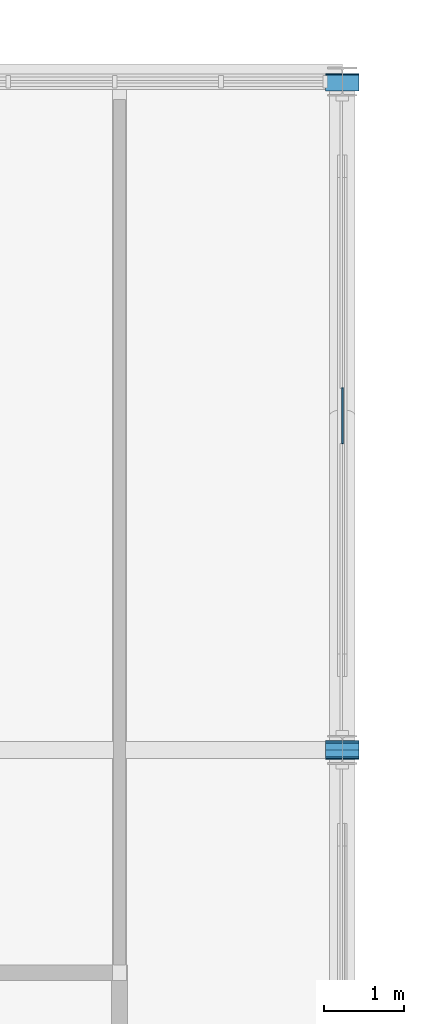
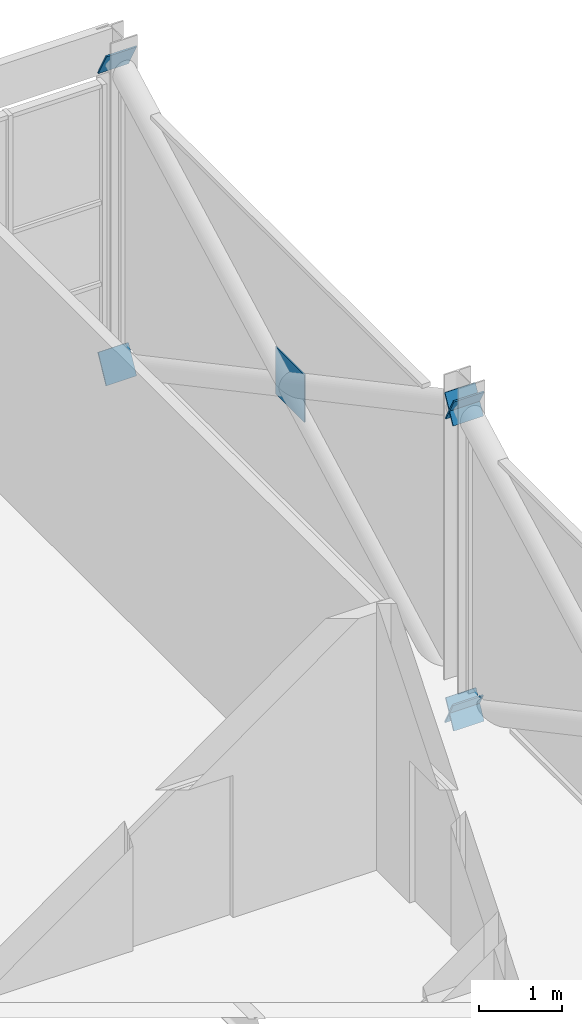
# One storey, part 114 of 129: 7 discrete accessories.
"""IFC4 building model written with IfcOpenShell, lengths in metres."""

from ifc_helpers import new_model, si_unit, direction, frame, origin, origin_2d, place, context, subcontext, project, spatial, rectangle, extrude, material, material_profile, profile_set, type_object, element, save


model = new_model("IFC4")

# Units and contexts
model_context = context("Model", 3, precision=1e-05, world=origin(), true_north=direction((0.0, 1.0)))
body_context = subcontext(model_context, "Body", "Model", "MODEL_VIEW")
ifc_project = project(units=[si_unit("LENGTHUNIT", "METRE"), si_unit("AREAUNIT", "SQUARE_METRE"), si_unit("VOLUMEUNIT", "CUBIC_METRE"), si_unit("PLANEANGLEUNIT", "RADIAN"), si_unit("MASSUNIT", "GRAM", prefix="KILO")], contexts=[model_context])

# Site, building, storey
site_placement = place(None, origin())
site = spatial("IfcSite", under=ifc_project, at=site_placement, CompositionType="ELEMENT")
building_placement = place(site_placement, origin())
building = spatial("IfcBuilding", under=site, at=building_placement, Name="Ardhachandra Cancer Care Centre", CompositionType="ELEMENT")
storey_placement = place(building_placement, frame((0.0, 0.0, 4.5)))
storey = spatial("IfcBuildingStorey", under=building, at=storey_placement, Name="L01", CompositionType="ELEMENT", Elevation=4.5)

# Discrete accessories
ifc_material_1 = material(Name="Steel E250 (IS 2062)", Category="steel")
ifc_material_profile_1 = material_profile(ifc_material_1, rectangle(XDim=0.423828125, YDim=0.423828125, at=origin_2d()), Name="PL 424x424x20")
ifc_profile_set_1 = profile_set([ifc_material_profile_1], Name="Steel E250 (IS 2062)")
discrete_accessory_type_1 = type_object("IfcDiscreteAccessoryType", Name="Brace end plate 424 x 424 x 20", PredefinedType="BRACKET", material=ifc_profile_set_1)
discrete_accessory_1_placement = place(storey_placement, frame((145.199951171875, 96.60009765625, 4.10009765625), z_axis=(0.0, -0.882018256262, -0.471215232798), x_axis=(1.0, 0.0, 0.0)))
element("IfcDiscreteAccessory", 1, at=discrete_accessory_1_placement, inside=storey, type_object=discrete_accessory_type_1, Name="Brace end plate V5-Y1452-882 L01 A1", PredefinedType="BRACKET", context=body_context, shape_type="SweptSolid", body=[
    extrude(rectangle(XDim=0.423828125, YDim=0.423828125, at=origin_2d()), origin(), (0.0, 0.0, 1.0), 0.020263671875),
])
discrete_accessory_2_placement = place(storey_placement, frame((145.199951171875, 96.60009765625, -0.39990234375), z_axis=(0.0, -0.887017774073, 0.461735279655), x_axis=(1.0, 0.0, 0.0)))
element("IfcDiscreteAccessory", 2, at=discrete_accessory_2_placement, inside=storey, type_object=discrete_accessory_type_1, Name="Brace end plate V5-Y1452-882 L01 B10", PredefinedType="BRACKET", context=body_context, shape_type="SweptSolid", body=[
    extrude(rectangle(XDim=0.423828125, YDim=0.423828125, at=origin_2d()), origin(), (0.0, 0.0, 1.0), 0.02001953125),
])
discrete_accessory_3_placement = place(storey_placement, frame((145.199951171875, 96.60009765625, -0.39990234375), z_axis=(0.0, 0.884384752847, 0.466758619558), x_axis=(-1.0, 0.0, 0.0)))
element("IfcDiscreteAccessory", 3, at=discrete_accessory_3_placement, inside=storey, type_object=discrete_accessory_type_1, Name="Brace end plate V5-Y1452-966 L01 A0", PredefinedType="BRACKET", context=body_context, shape_type="SweptSolid", body=[
    extrude(rectangle(XDim=0.423828125, YDim=0.423828125, at=origin_2d()), origin(), (0.0, 0.0, 1.0), 0.019775390625),
])
discrete_accessory_4_placement = place(storey_placement, frame((145.199951171875, 105.0, 4.10009765625), z_axis=(0.0, -0.879291966537, -0.476283148541), x_axis=(1.0, 0.0, 0.0)))
element("IfcDiscreteAccessory", 4, at=discrete_accessory_4_placement, inside=storey, type_object=discrete_accessory_type_1, Name="Brace end plate V5-Y1452-966 L01 A1", PredefinedType="BRACKET", context=body_context, shape_type="SweptSolid", body=[
    extrude(rectangle(XDim=0.423828125, YDim=0.423828125, at=origin_2d()), origin(), (0.0, 0.0, 1.0), 0.02001953125),
])
discrete_accessory_5_placement = place(storey_placement, frame((145.199951171875, 105.0, -0.39990234375), z_axis=(0.0, -0.884384752847, 0.466758619558), x_axis=(1.0, 0.0, 0.0)))
element("IfcDiscreteAccessory", 5, at=discrete_accessory_5_placement, inside=storey, type_object=discrete_accessory_type_1, Name="Brace end plate V5-Y1452-966 L01 B10", PredefinedType="BRACKET", context=body_context, shape_type="SweptSolid", body=[
    extrude(rectangle(XDim=0.423828125, YDim=0.423828125, at=origin_2d()), origin(), (0.0, 0.0, 1.0), 0.019775390625),
])
discrete_accessory_6_placement = place(storey_placement, frame((145.199951171875, 96.60009765625, 4.10009765625), z_axis=(0.0, 0.879291966537, -0.476283148541), x_axis=(-1.0, 0.0, 0.0)))
element("IfcDiscreteAccessory", 6, at=discrete_accessory_6_placement, inside=storey, type_object=discrete_accessory_type_1, Name="Brace end plate V5-Y1452-966 L01 B21", PredefinedType="BRACKET", context=body_context, shape_type="SweptSolid", body=[
    extrude(rectangle(XDim=0.423828125, YDim=0.423828125, at=origin_2d()), origin(), (0.0, 0.0, 1.0), 0.02001953125),
])
ifc_material_2 = material(Name="Steel E250 (IS 2062)", Category="steel")
ifc_material_profile_2 = material_profile(ifc_material_2, rectangle(XDim=0.699951171875, YDim=0.699951171875, at=origin_2d()), Name="PL 700x700x20")
ifc_profile_set_2 = profile_set([ifc_material_profile_2], Name="Steel E250 (IS 2062)")
discrete_accessory_type_2 = type_object("IfcDiscreteAccessoryType", Name="Brace node plate 700 x 700 x 20", PredefinedType="BRACKET", material=ifc_profile_set_2)
discrete_accessory_7_placement = place(storey_placement, frame((145.18994140625, 100.800048828125, 1.85009765625), z_axis=(1.0, 0.0, 0.0), x_axis=(0.0, 1.0, 0.0)))
element("IfcDiscreteAccessory", 7, at=discrete_accessory_7_placement, inside=storey, type_object=discrete_accessory_type_2, Name="Brace node plate V5-Y1452-966 L01", PredefinedType="BRACKET", context=body_context, shape_type="SweptSolid", body=[
    extrude(rectangle(XDim=0.699951171875, YDim=0.699951171875, at=origin_2d()), origin(), (0.0, 0.0, 1.0), 0.02001953125),
])

save(model, "model.ifc")
